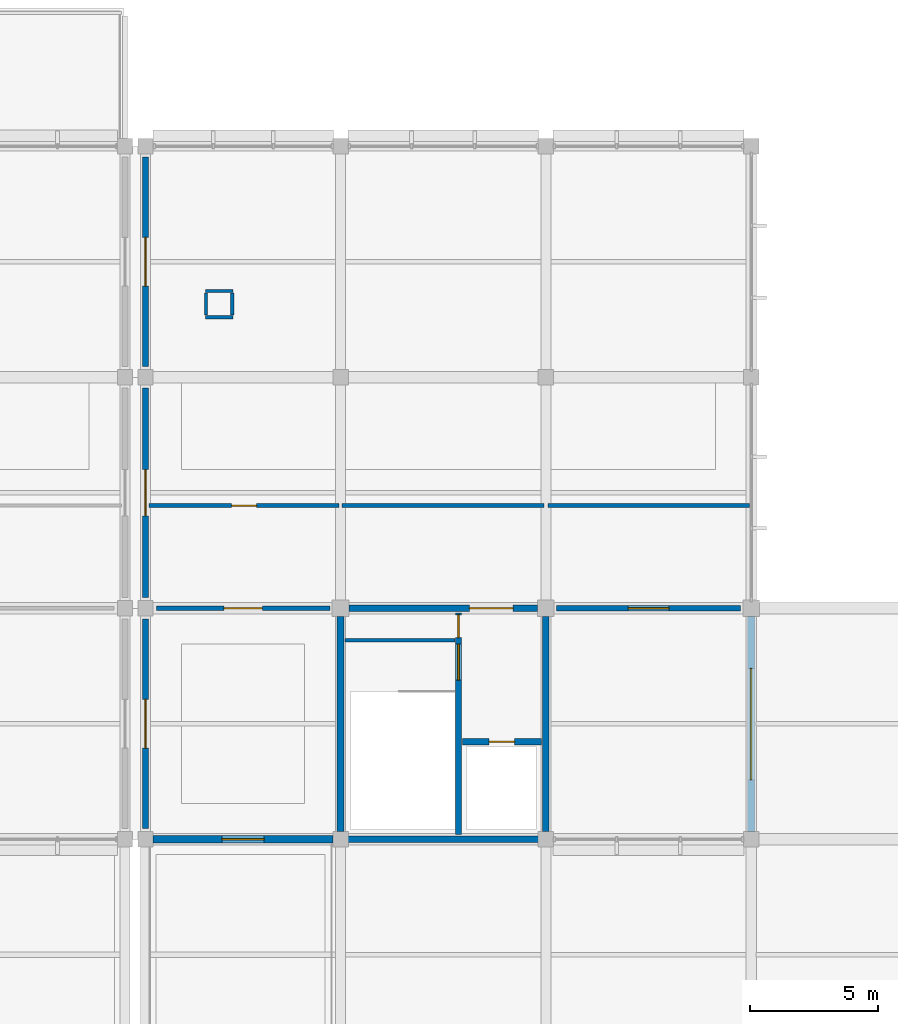
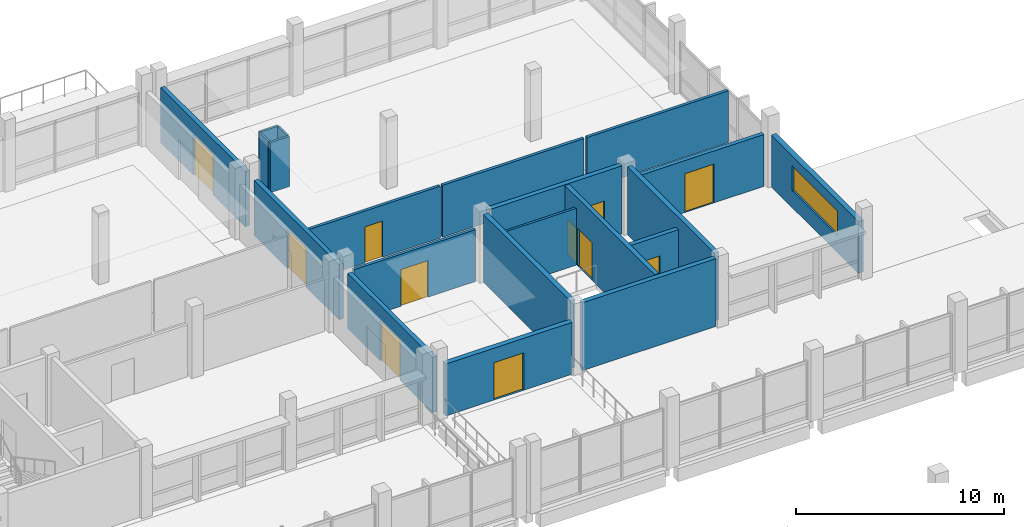
# One storey, part 63 of 70: 21 walls, 11 doors, 1 window, 12 openings.
"""IFC4 building model written with IfcOpenShell, lengths in metres."""

from ifc_helpers import new_model, si_unit, direction, frame, frame_2d, origin, place, context, subcontext, project, spatial, rectangle, extrude, material, layer, layer_set, type_object, element, fill, save


model = new_model("IFC4")

# Units and contexts
model_context = context("Model", 3, precision=1e-05, world=origin(), true_north=direction((0.0, 1.0)))
body_context = subcontext(model_context, "Body", "Model", "MODEL_VIEW")
ifc_project = project(units=[si_unit("LENGTHUNIT", "METRE"), si_unit("AREAUNIT", "SQUARE_METRE"), si_unit("VOLUMEUNIT", "CUBIC_METRE"), si_unit("PLANEANGLEUNIT", "RADIAN"), si_unit("MASSUNIT", "GRAM", prefix="KILO"), si_unit("THERMODYNAMICTEMPERATUREUNIT", "KELVIN"), si_unit("POWERUNIT", "WATT")], contexts=[model_context])

# Site, building, storey
site_placement = place(None, origin())
site = spatial("IfcSite", under=ifc_project, at=site_placement, CompositionType="ELEMENT")
building_placement = place(site_placement, origin())
building = spatial("IfcBuilding", under=site, at=building_placement, Name="Kronsvod Quay Wholesale Market", CompositionType="ELEMENT")
storey_placement = place(building_placement, frame((0.0, 0.0, 9.0)))
storey = spatial("IfcBuildingStorey", under=building, at=storey_placement, Name="L02", CompositionType="ELEMENT", Elevation=9.0)

# Wall
ifc_material_1 = material(Name="Concrete C35/45", Category="concrete")
ifc_layer_1 = layer(ifc_material_1, 0.260009765625)
ifc_layer_set_1 = layer_set([ifc_layer_1], Name="Concrete C35/45")
wall_type_1 = type_object("IfcWallType", Name="Wall_CoreShear260", PredefinedType="SHEAR", material=ifc_layer_set_1)
wall_1_placement = place(storey_placement, frame((136.294921875, 99.0, 0.0), z_axis=(0.0, 0.0, 1.0), x_axis=(1.0, 0.0, 0.0)))
element("IfcWall", 1, at=wall_1_placement, inside=storey, type_object=wall_type_1, Name="CW-C10-L02-S", PredefinedType="SHEAR", context=body_context, shape_type="SweptSolid", body=[
    extrude(rectangle(XDim=7.41015625, YDim=0.260009765625, at=frame_2d((3.705078125, 0.0))), origin(), (0.0, 0.0, 1.0), 3.985107421875),
])

# Wall, opening, door
wall_2_placement = place(storey_placement, frame((136.320068359375, 108.0, 0.0), z_axis=(0.0, 0.0, 1.0), x_axis=(1.0, 0.0, 0.0)))
wall_2 = element("IfcWall", 2, at=wall_2_placement, inside=storey, type_object=wall_type_1, Name="CW-C10-L02-N", PredefinedType="SHEAR", context=body_context, shape_type="SweptSolid", body=[
    extrude(rectangle(XDim=7.35986328125, YDim=0.260009765625, at=frame_2d((3.679931640625, 0.0))), origin(), (0.0, 0.0, 1.0), 3.985107421875),
])
opening_1_placement = place(wall_2_placement, frame((4.699951171875, 0.0, 0.0)))
opening_1 = element("IfcOpeningElement", 3, at=opening_1_placement, cuts=wall_2, Name="Opening D-0116", PredefinedType="OPENING", context=body_context, shape_type="SweptSolid", body=[
    extrude(rectangle(XDim=1.699951171875, YDim=2.25, at=frame_2d((0.85009765625, 1.125))), frame((0.0, 0.14013671875, 0.0), z_axis=(0.0, -1.0, 0.0), x_axis=(1.0, 0.0, 0.0)), (0.0, 0.0, 1.0), 0.280029296875),
])
ifc_material_2 = material(Name="Painted galvanized fire steel", Category="steel")
door_type_1 = type_object("IfcDoorType", Name="Door_FireLobby170x225", OperationType="DOUBLE_DOOR_SINGLE_SWING", PredefinedType="DOOR", material=ifc_material_2)
door_1_placement = place(opening_1_placement, origin())
door_1 = element("IfcDoor", 4, at=door_1_placement, inside=storey, type_object=door_type_1, Name="Core Lobby Door D-0116", OperationType="DOUBLE_DOOR_SINGLE_SWING", OverallHeight=2.25, OverallWidth=1.699951171875, PredefinedType="DOOR", context=body_context, shape_type="SweptSolid", body=[
    extrude(rectangle(XDim=1.699951171875, YDim=2.25, at=frame_2d((0.85009765625, 1.125))), frame((0.0, 0.02490234375, 0.0), z_axis=(0.0, -1.0, 0.0), x_axis=(1.0, 0.0, 0.0)), (0.0, 0.0, 1.0), 0.050048828125),
])
fill(opening_1, door_1)

# Walls
for number, where, z_axis, x_axis, name in (
    (5, (136.0, 99.294921875, 0.0), (0.0, 0.0, 1.0), (0.0, 1.0, 0.0), "CW-C10-L02-W"),
    (6, (144.0, 99.294921875, 0.0), (0.0, 0.0, 1.0), (0.0, 1.0, 0.0), "CW-C10-L02-E"),
):
    element("IfcWall", number, at=place(storey_placement, frame(where, z_axis=z_axis, x_axis=x_axis)), inside=storey, type_object=wall_type_1, Name=name, PredefinedType="SHEAR", context=body_context, shape_type="SweptSolid", body=[
        extrude(rectangle(XDim=8.385009765625, YDim=0.260009765625, at=frame_2d((4.1923828125, 0.0))), origin(), (0.0, 0.0, 1.0), 3.985107421875),
    ])

# Wall, opening, door
ifc_material_3 = material(Name="Precast concrete C40/50", Category="concrete")
ifc_layer_2 = layer(ifc_material_3, 0.280029296875)
ifc_layer_set_2 = layer_set([ifc_layer_2], Name="Precast concrete C40/50")
wall_type_2 = type_object("IfcWallType", Name="Wall_ExtPrecast280", PredefinedType="SOLIDWALL", material=ifc_layer_set_2)
wall_3_placement = place(storey_placement, frame((128.695068359375, 99.0, 0.0), z_axis=(0.0, 0.0, 1.0), x_axis=(1.0, 0.0, 0.0)))
wall_3 = element("IfcWall", 7, at=wall_3_placement, inside=storey, type_object=wall_type_2, Name="EW-X-L02-0193", PredefinedType="SOLIDWALL", context=body_context, shape_type="SweptSolid", body=[
    extrude(rectangle(XDim=7.010009765625, YDim=0.280029296875, at=frame_2d((3.5048828125, 0.0))), origin(), (0.0, 0.0, 1.0), 3.050048828125),
])
opening_2_placement = place(wall_3_placement, frame((2.679931640625, 0.0, 0.0)))
opening_2 = element("IfcOpeningElement", 8, at=opening_2_placement, cuts=wall_3, Name="Opening ED-058", PredefinedType="OPENING", context=body_context, shape_type="SweptSolid", body=[
    extrude(rectangle(XDim=1.64990234375, YDim=2.199951171875, at=frame_2d((0.824951171875, 1.10009765625))), frame((0.0, 0.14990234375, 0.0), z_axis=(0.0, -1.0, 0.0), x_axis=(1.0, 0.0, 0.0)), (0.0, 0.0, 1.0), 0.300048828125),
])
ifc_material_4 = material(Name="Thermally broken aluminium and glass", Category="aluminium")
door_type_2 = type_object("IfcDoorType", Name="Door_GardenDouble165x220", OperationType="DOUBLE_DOOR_SINGLE_SWING", PredefinedType="DOOR", material=ifc_material_4)
door_2_placement = place(opening_2_placement, frame((1.64990234375, 0.0, 0.0), z_axis=(0.0, 0.0, 1.0), x_axis=(-1.0, 0.0, 0.0)))
door_2 = element("IfcDoor", 9, at=door_2_placement, inside=storey, type_object=door_type_2, Name="Terrace Access Door ED-058", OperationType="DOUBLE_DOOR_SINGLE_SWING", OverallHeight=2.199951171875, OverallWidth=1.64990234375, PredefinedType="DOOR", context=body_context, shape_type="SweptSolid", body=[
    extrude(rectangle(XDim=1.64990234375, YDim=2.199951171875, at=frame_2d((0.824951171875, 1.10009765625))), frame((0.0, 0.02490234375, 0.0), z_axis=(0.0, -1.0, 0.0), x_axis=(1.0, 0.0, 0.0)), (0.0, 0.0, 1.0), 0.050048828125),
])
fill(opening_2, door_2)

# Wall, opening, window
wall_4_placement = place(storey_placement, frame((152.0, 99.294921875, 0.0), z_axis=(0.0, 0.0, 1.0), x_axis=(0.0, 1.0, 0.0)))
wall_4 = element("IfcWall", 10, at=wall_4_placement, inside=storey, type_object=wall_type_2, Name="EW-Y-L02-0198", PredefinedType="SOLIDWALL", context=body_context, shape_type="SweptSolid", body=[
    extrude(rectangle(XDim=8.385009765625, YDim=0.280029296875, at=frame_2d((4.1923828125, 0.0))), origin(), (0.0, 0.0, 1.0), 3.050048828125),
])
opening_3_placement = place(wall_4_placement, frame((2.01806640625, 0.0, 1.0)))
opening_3 = element("IfcOpeningElement", 11, at=opening_3_placement, cuts=wall_4, Name="Opening WIN-16", PredefinedType="OPENING", context=body_context, shape_type="SweptSolid", body=[
    extrude(rectangle(XDim=4.35009765625, YDim=1.449951171875, at=frame_2d((2.175048828125, 0.72509765625))), frame((0.0, 0.14990234375, 0.0), z_axis=(0.0, -1.0, 0.0), x_axis=(1.0, 0.0, 0.0)), (0.0, 0.0, 1.0), 0.300048828125),
])
ifc_material_5 = material(Name="Thermally broken aluminium and triple low-E glazing", Category="aluminium")
window_type = type_object("IfcWindowType", Name="Win_W16", PartitioningType="TRIPLE_PANEL_HORIZONTAL", PredefinedType="WINDOW", material=ifc_material_5)
window_placement = place(opening_3_placement, origin())
window = element("IfcWindow", 12, at=window_placement, inside=storey, type_object=window_type, Name="WIN-Y-L02-0016", OverallHeight=1.449951171875, OverallWidth=4.35009765625, PartitioningType="SINGLE_PANEL", PredefinedType="WINDOW", context=body_context, shape_type="SweptSolid", body=[
    extrude(rectangle(XDim=4.35009765625, YDim=1.449951171875, at=frame_2d((2.175048828125, 0.72509765625))), frame((0.0, 0.030029296875, 0.0), z_axis=(0.0, -1.0, 0.0), x_axis=(1.0, 0.0, 0.0)), (0.0, 0.0, 1.0), 0.06005859375),
])
fill(opening_3, window)

# Wall, opening, door
ifc_material_6 = material(Name="Precast concrete C40/50", Category="concrete")
ifc_layer_3 = layer(ifc_material_6, 0.239990234375)
ifc_layer_set_3 = layer_set([ifc_layer_3], Name="Precast concrete C40/50")
wall_type_3 = type_object("IfcWallType", Name="Wall_ExtSpandrel240", PredefinedType="SOLIDWALL", material=ifc_layer_set_3)
wall_5_placement = place(storey_placement, frame((128.39990234375, 99.419921875, 0.0), z_axis=(0.0, 0.0, 1.0), x_axis=(0.0, 1.0, 0.0)))
wall_5 = element("IfcWall", 13, at=wall_5_placement, inside=storey, type_object=wall_type_3, Name="MJWG-L02-1284-990", PredefinedType="SOLIDWALL", context=body_context, shape_type="SweptSolid", body=[
    extrude(rectangle(XDim=8.16015625, YDim=0.239990234375, at=frame_2d((4.080078125, 0.0))), origin(), (0.0, 0.0, 1.0), 3.239990234375),
])
opening_4_placement = place(wall_5_placement, frame((3.1298828125, 0.0, 0.0)))
opening_4 = element("IfcOpeningElement", 14, at=opening_4_placement, cuts=wall_5, Name="Opening D-0387", PredefinedType="OPENING", context=body_context, shape_type="SweptSolid", body=[
    extrude(rectangle(XDim=1.89990234375, YDim=2.35009765625, at=frame_2d((0.949951171875, 1.175048828125))), frame((0.0, 0.1298828125, 0.0), z_axis=(0.0, -1.0, 0.0), x_axis=(1.0, 0.0, 0.0)), (0.0, 0.0, 1.0), 0.260009765625),
])
ifc_material_7 = material(Name="Painted galvanized fire steel", Category="steel")
door_type_3 = type_object("IfcDoorType", Name="Door_FireComp190x235", OperationType="DOUBLE_DOOR_SINGLE_SWING", PredefinedType="DOOR", material=ifc_material_7)
door_3_placement = place(opening_4_placement, origin())
door_3 = element("IfcDoor", 15, at=door_3_placement, inside=storey, type_object=door_type_3, Name="Fire Compartment Door D-0387", OperationType="DOUBLE_DOOR_SINGLE_SWING", OverallHeight=2.35009765625, OverallWidth=1.89990234375, PredefinedType="DOOR", context=body_context, shape_type="SweptSolid", body=[
    extrude(rectangle(XDim=1.89990234375, YDim=2.35009765625, at=frame_2d((0.949951171875, 1.175048828125))), frame((0.0, 0.02490234375, 0.0), z_axis=(0.0, -1.0, 0.0), x_axis=(1.0, 0.0, 0.0)), (0.0, 0.0, 1.0), 0.050048828125),
])
fill(opening_4, door_3)

wall_6_placement = place(storey_placement, frame((128.39990234375, 108.419921875, 0.0), z_axis=(0.0, 0.0, 1.0), x_axis=(0.0, 1.0, 0.0)))
wall_6 = element("IfcWall", 16, at=wall_6_placement, inside=storey, type_object=wall_type_3, Name="MJWG-L02-1284-1080", PredefinedType="SOLIDWALL", context=body_context, shape_type="SweptSolid", body=[
    extrude(rectangle(XDim=8.16015625, YDim=0.239990234375, at=frame_2d((4.080078125, 0.0))), origin(), (0.0, 0.0, 1.0), 3.239990234375),
])
opening_5_placement = place(wall_6_placement, frame((3.179931640625, 0.0, 0.0)))
opening_5 = element("IfcOpeningElement", 17, at=opening_5_placement, cuts=wall_6, Name="Opening D-0388", PredefinedType="OPENING", context=body_context, shape_type="SweptSolid", body=[
    extrude(rectangle(XDim=1.800048828125, YDim=2.300048828125, at=frame_2d((0.89990234375, 1.14990234375))), frame((0.0, 0.1298828125, 0.0), z_axis=(0.0, -1.0, 0.0), x_axis=(1.0, 0.0, 0.0)), (0.0, 0.0, 1.0), 0.260009765625),
])
ifc_material_8 = material(Name="Painted galvanized fire steel", Category="steel")
door_type_4 = type_object("IfcDoorType", Name="Door_FireComp180x230", OperationType="DOUBLE_DOOR_SINGLE_SWING", PredefinedType="DOOR", material=ifc_material_8)
door_4_placement = place(opening_5_placement, origin())
door_4 = element("IfcDoor", 18, at=door_4_placement, inside=storey, type_object=door_type_4, Name="Fire Compartment Door D-0388", OperationType="DOUBLE_DOOR_SINGLE_SWING", OverallHeight=2.300048828125, OverallWidth=1.800048828125, PredefinedType="DOOR", context=body_context, shape_type="SweptSolid", body=[
    extrude(rectangle(XDim=1.800048828125, YDim=2.300048828125, at=frame_2d((0.89990234375, 1.14990234375))), frame((0.0, 0.02490234375, 0.0), z_axis=(0.0, -1.0, 0.0), x_axis=(1.0, 0.0, 0.0)), (0.0, 0.0, 1.0), 0.050048828125),
])
fill(opening_5, door_4)

wall_7_placement = place(storey_placement, frame((128.39990234375, 117.419921875, 0.0), z_axis=(0.0, 0.0, 1.0), x_axis=(0.0, 1.0, 0.0)))
wall_7 = element("IfcWall", 19, at=wall_7_placement, inside=storey, type_object=wall_type_3, Name="MJWG-L02-1284-1170", PredefinedType="SOLIDWALL", context=body_context, shape_type="SweptSolid", body=[
    extrude(rectangle(XDim=8.16015625, YDim=0.239990234375, at=frame_2d((4.080078125, 0.0))), origin(), (0.0, 0.0, 1.0), 3.239990234375),
])
opening_6_placement = place(wall_7_placement, frame((3.1298828125, 0.0, 0.0)))
opening_6 = element("IfcOpeningElement", 20, at=opening_6_placement, cuts=wall_7, Name="Opening D-0389", PredefinedType="OPENING", context=body_context, shape_type="SweptSolid", body=[
    extrude(rectangle(XDim=1.89990234375, YDim=2.35009765625, at=frame_2d((0.949951171875, 1.175048828125))), frame((0.0, 0.1298828125, 0.0), z_axis=(0.0, -1.0, 0.0), x_axis=(1.0, 0.0, 0.0)), (0.0, 0.0, 1.0), 0.260009765625),
])
door_5_placement = place(opening_6_placement, origin())
door_5 = element("IfcDoor", 21, at=door_5_placement, inside=storey, type_object=door_type_3, Name="Fire Compartment Door D-0389", OperationType="DOUBLE_DOOR_SINGLE_SWING", OverallHeight=2.35009765625, OverallWidth=1.89990234375, PredefinedType="DOOR", context=body_context, shape_type="SweptSolid", body=[
    extrude(rectangle(XDim=1.89990234375, YDim=2.35009765625, at=frame_2d((0.949951171875, 1.175048828125))), frame((0.0, 0.02490234375, 0.0), z_axis=(0.0, -1.0, 0.0), x_axis=(1.0, 0.0, 0.0)), (0.0, 0.0, 1.0), 0.050048828125),
])
fill(opening_6, door_5)

ifc_material_9 = material(Name="Concrete C35/45", Category="concrete")
ifc_layer_4 = layer(ifc_material_9, 0.219970703125)
ifc_layer_set_4 = layer_set([ifc_layer_4], Name="Concrete C35/45")
wall_type_4 = type_object("IfcWallType", Name="Wall_FireComp220", PredefinedType="SOLIDWALL", material=ifc_layer_set_4)
wall_8_placement = place(storey_placement, frame((144.419921875, 108.0, 0.0), z_axis=(0.0, 0.0, 1.0), x_axis=(1.0, 0.0, 0.0)))
wall_8 = element("IfcWall", 22, at=wall_8_placement, inside=storey, type_object=wall_type_4, Name="PW-L02-0042", PredefinedType="SOLIDWALL", context=body_context, shape_type="SweptSolid", body=[
    extrude(rectangle(XDim=7.16015625, YDim=0.219970703125, at=frame_2d((3.580078125, 0.0))), origin(), (0.0, 0.0, 1.0), 3.050048828125),
])
opening_7_placement = place(wall_8_placement, frame((2.780029296875, 0.0, 0.0)))
opening_7 = element("IfcOpeningElement", 23, at=opening_7_placement, cuts=wall_8, Name="Opening D-0293", PredefinedType="OPENING", context=body_context, shape_type="SweptSolid", body=[
    extrude(rectangle(XDim=1.60009765625, YDim=2.280029296875, at=frame_2d((0.800048828125, 1.14013671875))), frame((0.0, 0.1201171875, 0.0), z_axis=(0.0, -1.0, 0.0), x_axis=(1.0, 0.0, 0.0)), (0.0, 0.0, 1.0), 0.239990234375),
])
ifc_material_10 = material(Name="Painted steel plant door", Category="steel")
door_type_5 = type_object("IfcDoorType", Name="Door_Plant160x228", OperationType="DOUBLE_DOOR_SINGLE_SWING", PredefinedType="DOOR", material=ifc_material_10)
door_6_placement = place(opening_7_placement, origin())
door_6 = element("IfcDoor", 24, at=door_6_placement, inside=storey, type_object=door_type_5, Name="Interior Door D-0293", OperationType="DOUBLE_DOOR_SINGLE_SWING", OverallHeight=2.280029296875, OverallWidth=1.60009765625, PredefinedType="DOOR", context=body_context, shape_type="SweptSolid", body=[
    extrude(rectangle(XDim=1.60009765625, YDim=2.280029296875, at=frame_2d((0.800048828125, 1.14013671875))), frame((0.0, 0.02490234375, 0.0), z_axis=(0.0, -1.0, 0.0), x_axis=(1.0, 0.0, 0.0)), (0.0, 0.0, 1.0), 0.050048828125),
])
fill(opening_7, door_6)

ifc_material_11 = material(Name="Fire-rated corridor gypsum partition")
ifc_layer_5 = layer(ifc_material_11, 0.159912109375)
ifc_layer_set_5 = layer_set([ifc_layer_5], Name="Fire-rated corridor gypsum partition")
wall_type_5 = type_object("IfcWallType", Name="Wall_PartCorridor160", PredefinedType="PARTITIONING", material=ifc_layer_set_5)
wall_9_placement = place(storey_placement, frame((128.820068359375, 108.0, 0.0), z_axis=(0.0, 0.0, 1.0), x_axis=(1.0, 0.0, 0.0)))
wall_9 = element("IfcWall", 25, at=wall_9_placement, inside=storey, type_object=wall_type_5, Name="PW-L02-0041", PredefinedType="PARTITIONING", context=body_context, shape_type="SweptSolid", body=[
    extrude(rectangle(XDim=6.760009765625, YDim=0.159912109375, at=frame_2d((3.3798828125, 0.0))), origin(), (0.0, 0.0, 1.0), 3.050048828125),
])
opening_8_placement = place(wall_9_placement, frame((2.6298828125, 0.0, 0.0)))
opening_8 = element("IfcOpeningElement", 26, at=opening_8_placement, cuts=wall_9, Name="Opening D-0292", PredefinedType="OPENING", context=body_context, shape_type="SweptSolid", body=[
    extrude(rectangle(XDim=1.5, YDim=2.14990234375, at=frame_2d((0.75, 1.074951171875))), frame((0.0, 0.08984375, 0.0), z_axis=(0.0, -1.0, 0.0), x_axis=(1.0, 0.0, 0.0)), (0.0, 0.0, 1.0), 0.179931640625),
])
ifc_material_12 = material(Name="Glazed timber suite door", Category="wood")
door_type_6 = type_object("IfcDoorType", Name="Door_OfficeDouble150x215", OperationType="DOUBLE_DOOR_SINGLE_SWING", PredefinedType="DOOR", material=ifc_material_12)
door_7_placement = place(opening_8_placement, origin())
door_7 = element("IfcDoor", 27, at=door_7_placement, inside=storey, type_object=door_type_6, Name="Interior Door D-0292", OperationType="DOUBLE_DOOR_SINGLE_SWING", OverallHeight=2.14990234375, OverallWidth=1.5, PredefinedType="DOOR", context=body_context, shape_type="SweptSolid", body=[
    extrude(rectangle(XDim=1.5, YDim=2.14990234375, at=frame_2d((0.75, 1.074951171875))), frame((0.0, 0.02490234375, 0.0), z_axis=(0.0, -1.0, 0.0), x_axis=(1.0, 0.0, 0.0)), (0.0, 0.0, 1.0), 0.050048828125),
])
fill(opening_8, door_7)

wall_10_placement = place(storey_placement, frame((128.5400390625, 112.0, 0.0), z_axis=(0.0, 0.0, 1.0), x_axis=(1.0, 0.0, 0.0)))
wall_10 = element("IfcWall", 28, at=wall_10_placement, inside=storey, type_object=wall_type_5, Name="PW-L02-0055", PredefinedType="PARTITIONING", context=body_context, shape_type="SweptSolid", body=[
    extrude(rectangle(XDim=7.39990234375, YDim=0.159912109375, at=frame_2d((3.699951171875, 0.0))), origin(), (0.0, 0.0, 1.0), 3.050048828125),
])
opening_9_placement = place(wall_10_placement, frame((3.2099609375, 0.0, 0.0)))
opening_9 = element("IfcOpeningElement", 29, at=opening_9_placement, cuts=wall_10, Name="Opening D-0296", PredefinedType="OPENING", context=body_context, shape_type="SweptSolid", body=[
    extrude(rectangle(XDim=0.97998046875, YDim=2.1201171875, at=frame_2d((0.489990234375, 1.06005859375))), frame((0.0, 0.08984375, 0.0), z_axis=(0.0, -1.0, 0.0), x_axis=(1.0, 0.0, 0.0)), (0.0, 0.0, 1.0), 0.179931640625),
])
ifc_material_13 = material(Name="Solid-core timber office door", Category="wood")
door_type_7 = type_object("IfcDoorType", Name="Door_Office98x212", OperationType="NOTDEFINED", PredefinedType="DOOR", material=ifc_material_13)
door_8_placement = place(opening_9_placement, origin())
door_8 = element("IfcDoor", 30, at=door_8_placement, inside=storey, type_object=door_type_7, Name="Interior Door D-0296", OperationType="SINGLE_SWING_RIGHT", OverallHeight=2.1201171875, OverallWidth=0.97998046875, PredefinedType="DOOR", context=body_context, shape_type="SweptSolid", body=[
    extrude(rectangle(XDim=0.97998046875, YDim=2.1201171875, at=frame_2d((0.489990234375, 1.06005859375))), frame((0.0, 0.02490234375, 0.0), z_axis=(0.0, -1.0, 0.0), x_axis=(1.0, 0.0, 0.0)), (0.0, 0.0, 1.0), 0.050048828125),
])
fill(opening_9, door_8)

# Walls
for number, where, z_axis, x_axis, name in (
    (31, (136.06005859375, 112.0, 0.0), (0.0, 0.0, 1.0), (1.0, 0.0, 0.0), "PW-L02-0056"),
    (32, (144.080078125, 112.0, 0.0), (0.0, 0.0, 1.0), (1.0, 0.0, 0.0), "PW-L02-0057"),
):
    element("IfcWall", number, at=place(storey_placement, frame(where, z_axis=z_axis, x_axis=x_axis)), inside=storey, type_object=wall_type_5, Name=name, PredefinedType="PARTITIONING", context=body_context, shape_type="SweptSolid", body=[
        extrude(rectangle(XDim=7.85986328125, YDim=0.159912109375, at=frame_2d((3.929931640625, 0.0))), origin(), (0.0, 0.0, 1.0), 3.050048828125),
    ])
ifc_material_14 = material(Name="Fire-rated shaft riser block wall", Category="masonry")
ifc_layer_6 = layer(ifc_material_14, 0.1201171875)
ifc_layer_set_6 = layer_set([ifc_layer_6], Name="Fire-rated shaft riser block wall")
wall_type_6 = type_object("IfcWallType", Name="Wall_PartRiser120", PredefinedType="PARTITIONING", material=ifc_layer_set_6)
for number, where, z_axis, x_axis, name in (
    (33, (130.739990234375, 119.340087890625, 0.0), (0.0, 0.0, 1.0), (1.0, 0.0, 0.0), "RSRW-SLB-L02-133-S"),
    (34, (130.739990234375, 120.360107421875, 0.0), (0.0, 0.0, 1.0), (1.0, 0.0, 0.0), "RSRW-SLB-L02-133-N"),
):
    element("IfcWall", number, at=place(storey_placement, frame(where, z_axis=z_axis, x_axis=x_axis)), inside=storey, type_object=wall_type_6, Name=name, PredefinedType="PARTITIONING", context=body_context, shape_type="SweptSolid", body=[
        extrude(rectangle(XDim=1.06005859375, YDim=0.1201171875, at=frame_2d((0.530029296875, 0.0))), origin(), (0.0, 0.0, 1.0), 2.949951171875),
    ])
for number, where, z_axis, x_axis, name in (
    (35, (130.760009765625, 119.419921875, 0.0), (0.0, 0.0, 1.0), (0.0, 1.0, 0.0), "RSRW-SLB-L02-133-W"),
    (36, (131.780029296875, 119.419921875, 0.0), (0.0, 0.0, 1.0), (0.0, 1.0, 0.0), "RSRW-SLB-L02-133-E"),
):
    element("IfcWall", number, at=place(storey_placement, frame(where, z_axis=z_axis, x_axis=x_axis)), inside=storey, type_object=wall_type_6, Name=name, PredefinedType="PARTITIONING", context=body_context, shape_type="SweptSolid", body=[
        extrude(rectangle(XDim=0.860107421875, YDim=0.1201171875, at=frame_2d((0.43017578125, 0.0))), origin(), (0.0, 0.0, 1.0), 2.949951171875),
    ])
ifc_material_15 = material(Name="Fire-rated shaft riser block wall", Category="masonry")
ifc_layer_7 = layer(ifc_material_15, 0.1298828125)
ifc_layer_set_7 = layer_set([ifc_layer_7], Name="Fire-rated shaft riser block wall")
wall_type_7 = type_object("IfcWallType", Name="Wall_PartRiser130", PredefinedType="PARTITIONING", material=ifc_layer_set_7)
wall_11_placement = place(storey_placement, frame((136.179931640625, 106.75, 0.0), z_axis=(0.0, 0.0, 1.0), x_axis=(1.0, 0.0, 0.0)))
element("IfcWall", 37, at=wall_11_placement, inside=storey, type_object=wall_type_7, Name="CW-C10-L02-RSR", PredefinedType="PARTITIONING", context=body_context, shape_type="SweptSolid", body=[
    extrude(rectangle(XDim=4.280029296875, YDim=0.1298828125, at=frame_2d((2.14013671875, 0.0))), origin(), (0.0, 0.0, 1.0), 3.3349609375),
])

# Wall, openings, doors
ifc_material_16 = material(Name="Concrete C35/45", Category="concrete")
ifc_layer_8 = layer(ifc_material_16, 0.239990234375)
ifc_layer_set_8 = layer_set([ifc_layer_8], Name="Concrete C35/45")
wall_type_8 = type_object("IfcWallType", Name="Wall_ShaftWall240", PredefinedType="SHEAR", material=ifc_layer_set_8)
wall_12_placement = place(storey_placement, frame((140.60009765625, 99.179931640625, 0.0), z_axis=(0.0, 0.0, 1.0), x_axis=(0.0, 1.0, 0.0)))
wall_12 = element("IfcWall", 38, at=wall_12_placement, inside=storey, type_object=wall_type_8, Name="CW-C10-L02-DIV", PredefinedType="SHEAR", context=body_context, shape_type="SweptSolid", body=[
    extrude(rectangle(XDim=8.64013671875, YDim=0.239990234375, at=frame_2d((4.320068359375, 0.0))), origin(), (0.0, 0.0, 1.0), 3.985107421875),
])
opening_10_placement = place(wall_12_placement, frame((6.02001953125, 0.0, 0.0)))
opening_10 = element("IfcOpeningElement", 39, at=opening_10_placement, cuts=wall_12, Name="Opening D-0114", PredefinedType="OPENING", context=body_context, shape_type="SweptSolid", body=[
    extrude(rectangle(XDim=1.39990234375, YDim=2.199951171875, at=frame_2d((0.699951171875, 1.10009765625))), frame((0.0, 0.1298828125, 0.0), z_axis=(0.0, -1.0, 0.0), x_axis=(1.0, 0.0, 0.0)), (0.0, 0.0, 1.0), 0.260009765625),
])
opening_11_placement = place(wall_12_placement, frame((7.679931640625, 0.0, 0.0)))
opening_11 = element("IfcOpeningElement", 40, at=opening_11_placement, cuts=wall_12, Name="Opening D-0115", PredefinedType="OPENING", context=body_context, shape_type="SweptSolid", body=[
    extrude(rectangle(XDim=0.8798828125, YDim=2.02001953125, at=frame_2d((0.43994140625, 1.010009765625))), frame((0.0, 0.1298828125, 0.0), z_axis=(0.0, -1.0, 0.0), x_axis=(1.0, 0.0, 0.0)), (0.0, 0.0, 1.0), 0.260009765625),
])
ifc_material_17 = material(Name="Painted galvanized fire steel", Category="steel")
door_type_8 = type_object("IfcDoorType", Name="Door_FireStair140x220", OperationType="NOTDEFINED", PredefinedType="DOOR", material=ifc_material_17)
door_9_placement = place(opening_10_placement, origin())
door_9 = element("IfcDoor", 41, at=door_9_placement, inside=storey, type_object=door_type_8, Name="Stair Fire Door D-0114", OperationType="SINGLE_SWING_LEFT", OverallHeight=2.199951171875, OverallWidth=1.39990234375, PredefinedType="DOOR", context=body_context, shape_type="SweptSolid", body=[
    extrude(rectangle(XDim=1.39990234375, YDim=2.199951171875, at=frame_2d((0.699951171875, 1.10009765625))), frame((0.0, 0.02490234375, 0.0), z_axis=(0.0, -1.0, 0.0), x_axis=(1.0, 0.0, 0.0)), (0.0, 0.0, 1.0), 0.050048828125),
])
fill(opening_10, door_9)
ifc_material_18 = material(Name="Fire-rated steel riser access door", Category="steel")
door_type_9 = type_object("IfcDoorType", Name="Door_Riser88x202", OperationType="NOTDEFINED", PredefinedType="DOOR", material=ifc_material_18)
door_10_placement = place(opening_11_placement, origin())
door_10 = element("IfcDoor", 42, at=door_10_placement, inside=storey, type_object=door_type_9, Name="Service Riser Door D-0115", OperationType="SINGLE_SWING_RIGHT", OverallHeight=2.02001953125, OverallWidth=0.8798828125, PredefinedType="DOOR", context=body_context, shape_type="SweptSolid", body=[
    extrude(rectangle(XDim=0.8798828125, YDim=2.02001953125, at=frame_2d((0.43994140625, 1.010009765625))), frame((0.0, 0.02490234375, 0.0), z_axis=(0.0, -1.0, 0.0), x_axis=(1.0, 0.0, 0.0)), (0.0, 0.0, 1.0), 0.050048828125),
])
fill(opening_11, door_10)

# Wall, opening, door
wall_13_placement = place(storey_placement, frame((140.75, 102.800048828125, 0.0), z_axis=(0.0, 0.0, 1.0), x_axis=(1.0, 0.0, 0.0)))
wall_13 = element("IfcWall", 43, at=wall_13_placement, inside=storey, type_object=wall_type_8, Name="CW-C10-L02-LSH", PredefinedType="SHEAR", context=body_context, shape_type="SweptSolid", body=[
    extrude(rectangle(XDim=3.070068359375, YDim=0.239990234375, at=frame_2d((1.53515625, 0.0))), origin(), (0.0, 0.0, 1.0), 3.3349609375),
])
opening_12_placement = place(wall_13_placement, frame((1.034912109375, 0.0, 0.0)))
opening_12 = element("IfcOpeningElement", 44, at=opening_12_placement, cuts=wall_13, Name="Opening D-0117", PredefinedType="OPENING", context=body_context, shape_type="SweptSolid", body=[
    extrude(rectangle(XDim=1.0, YDim=2.14990234375, at=frame_2d((0.5, 1.074951171875))), frame((0.0, 0.1298828125, 0.0), z_axis=(0.0, -1.0, 0.0), x_axis=(1.0, 0.0, 0.0)), (0.0, 0.0, 1.0), 0.260009765625),
])
ifc_material_19 = material(Name="Brushed stainless steel", Category="steel")
door_type_10 = type_object("IfcDoorType", Name="Door_LiftLandingPax", OperationType="SLIDING_TO_LEFT", PredefinedType="DOOR", material=ifc_material_19)
door_11_placement = place(opening_12_placement, origin())
door_11 = element("IfcDoor", 45, at=door_11_placement, inside=storey, type_object=door_type_10, Name="Lift Landing Door LFT-P05 L02", OperationType="SLIDING_TO_LEFT", OverallHeight=2.14990234375, OverallWidth=1.0, PredefinedType="DOOR", context=body_context, shape_type="SweptSolid", body=[
    extrude(rectangle(XDim=1.0, YDim=2.14990234375, at=frame_2d((0.5, 1.074951171875))), frame((0.0, 0.02490234375, 0.0), z_axis=(0.0, -1.0, 0.0), x_axis=(1.0, 0.0, 0.0)), (0.0, 0.0, 1.0), 0.050048828125),
])
fill(opening_12, door_11)

save(model, "model.ifc")
